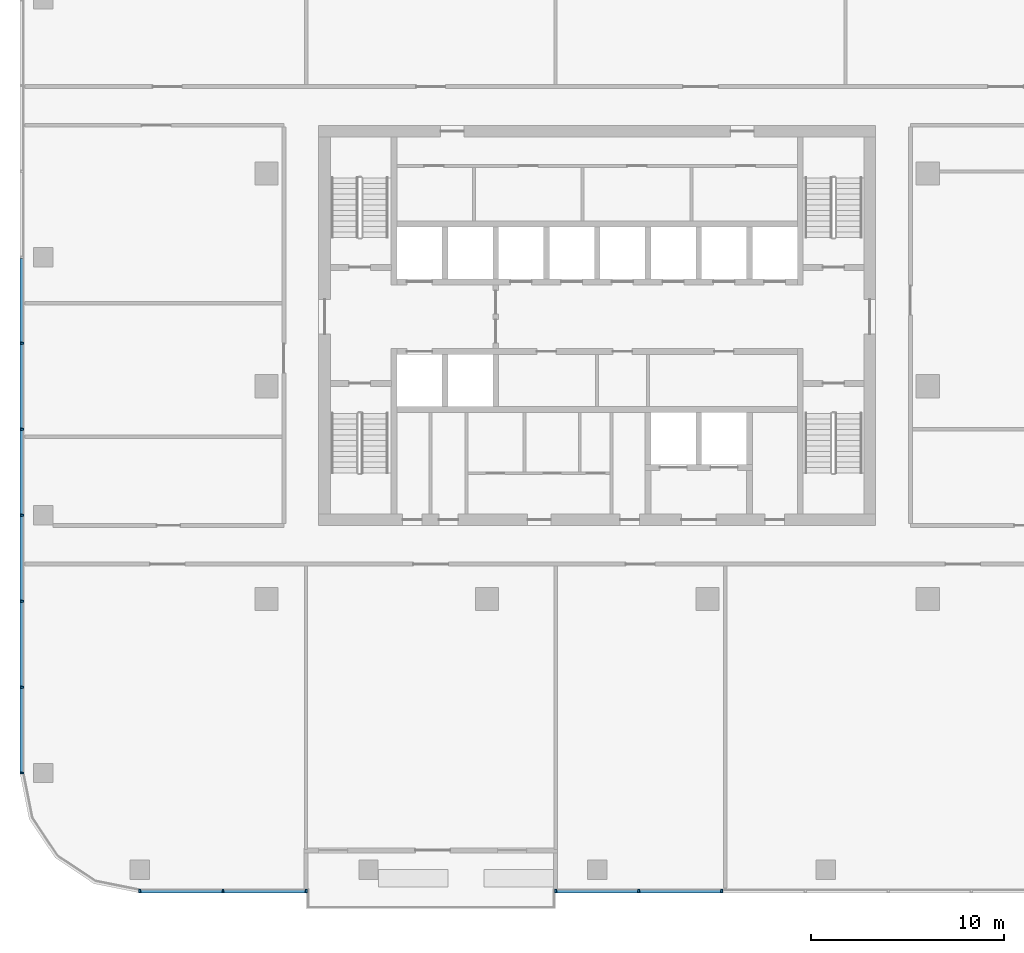
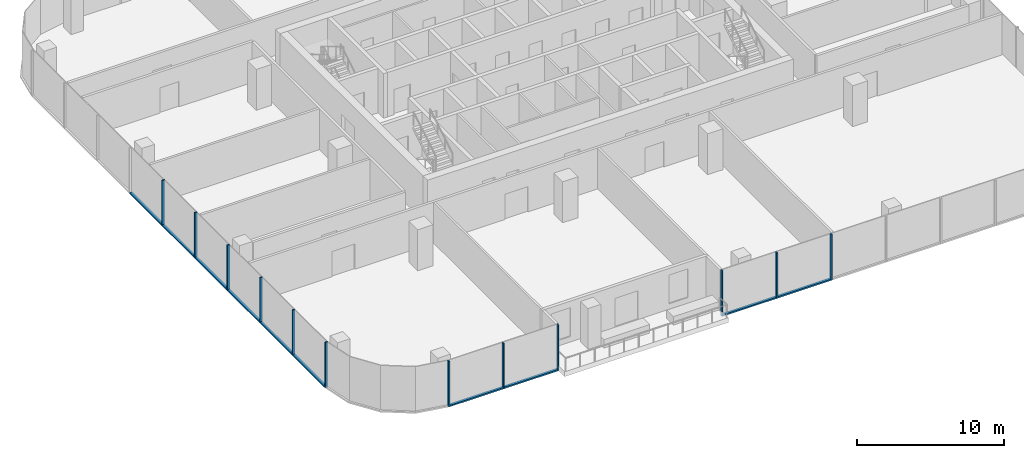
# One storey, part 2 of 13: 22 members, 3 elements without a shape of their own.
"""IFC4 building model written with IfcOpenShell, lengths in metres."""

from ifc_helpers import new_model, si_unit, direction, frame, origin, origin_2d, place, context, subcontext, project, spatial, rectangle, extrude, material, material_profile, profile_set, type_object, element, aggregate, save


model = new_model("IFC4")

# Units and contexts
model_context = context("Model", 3, precision=1e-05, world=origin(), true_north=direction((0.0, 1.0)))
body_context = subcontext(model_context, "Body", "Model", "MODEL_VIEW")
ifc_project = project(units=[si_unit("LENGTHUNIT", "METRE"), si_unit("AREAUNIT", "SQUARE_METRE"), si_unit("VOLUMEUNIT", "CUBIC_METRE"), si_unit("PLANEANGLEUNIT", "RADIAN"), si_unit("MASSUNIT", "GRAM", prefix="KILO")], contexts=[model_context])

# Site, building, storey
site_placement = place(None, origin())
site = spatial("IfcSite", under=ifc_project, at=site_placement, CompositionType="ELEMENT")
building_placement = place(site_placement, origin())
building = spatial("IfcBuilding", under=site, at=building_placement, Name="Mopane Tessera Tower", CompositionType="ELEMENT")
storey_placement = place(building_placement, frame((0.0, 0.0, 311.39990234375)))
storey = spatial("IfcBuildingStorey", under=building, at=storey_placement, Name="L68", CompositionType="ELEMENT", Elevation=311.39990234375)

# Curtain wall, members
ifc_material_1 = material(Name="Aluminium frame", Category="aluminium")
curtain_wall_type = type_object("IfcCurtainWallType", Name="Unitised curtain wall", PredefinedType="NOTDEFINED", material=ifc_material_1)
curtain_wall_1_placement = place(storey_placement, origin())
curtain_wall_1 = element("IfcCurtainWall", 1, at=curtain_wall_1_placement, inside=storey, type_object=curtain_wall_type, Name="e:cw:L68:S:0", PredefinedType="NOTDEFINED")
ifc_material_2 = material(Name="Aluminium frame", Category="aluminium")
ifc_material_profile_1 = material_profile(ifc_material_2, rectangle(XDim=0.10009765625, YDim=0.199951171875, at=origin_2d()))
ifc_profile_set_1 = profile_set([ifc_material_profile_1], Name="Aluminium frame")
member_type_1 = type_object("IfcMemberType", Name="Aluminium mullion 100 x 200", PredefinedType="MULLION", material=ifc_profile_set_1)
member_1_placement = place(storey_placement, frame((-23.64990234375, -26.10009765625, -0.39990234375), z_axis=(0.0, 0.0, 1.0), x_axis=(1.0, 0.0, 0.0)))
member_1 = element("IfcMember", 2, at=member_1_placement, type_object=member_type_1, Name="e:cw:L68:S:0:mu0", PredefinedType="MULLION", context=body_context, shape_type="SweptSolid", body=[
    extrude(rectangle(XDim=0.10009765625, YDim=0.199951171875, at=origin_2d()), origin(), (0.0, 0.0, 1.0), 3.800048828125),
])
member_2_placement = place(storey_placement, frame((-19.35009765625, -26.10009765625, -0.39990234375), z_axis=(0.0, 0.0, 1.0), x_axis=(1.0, 0.0, 0.0)))
member_2 = element("IfcMember", 3, at=member_2_placement, type_object=member_type_1, Name="e:cw:L68:S:0:mu1", PredefinedType="MULLION", context=body_context, shape_type="SweptSolid", body=[
    extrude(rectangle(XDim=0.10009765625, YDim=0.199951171875, at=origin_2d()), origin(), (0.0, 0.0, 1.0), 3.800048828125),
])
member_3_placement = place(storey_placement, frame((-15.050048828125, -26.10009765625, -0.39990234375), z_axis=(0.0, 0.0, 1.0), x_axis=(1.0, 0.0, 0.0)))
member_3 = element("IfcMember", 4, at=member_3_placement, type_object=member_type_1, Name="e:cw:L68:S:0:mu2", PredefinedType="MULLION", context=body_context, shape_type="SweptSolid", body=[
    extrude(rectangle(XDim=0.10009765625, YDim=0.199951171875, at=origin_2d()), origin(), (0.0, 0.0, 1.0), 3.800048828125),
])

curtain_wall_2_placement = place(storey_placement, origin())
curtain_wall_2 = element("IfcCurtainWall", 5, at=curtain_wall_2_placement, inside=storey, type_object=curtain_wall_type, Name="e:cw:L68:S:5", PredefinedType="NOTDEFINED")
member_4_placement = place(storey_placement, frame((-2.14990234375, -26.10009765625, -0.39990234375), z_axis=(0.0, 0.0, 1.0), x_axis=(1.0, 0.0, 0.0)))
member_4 = element("IfcMember", 6, at=member_4_placement, type_object=member_type_1, Name="e:cw:L68:S:5:mu5", PredefinedType="MULLION", context=body_context, shape_type="SweptSolid", body=[
    extrude(rectangle(XDim=0.10009765625, YDim=0.199951171875, at=origin_2d()), origin(), (0.0, 0.0, 1.0), 3.800048828125),
])
member_5_placement = place(storey_placement, frame((2.14990234375, -26.10009765625, -0.39990234375), z_axis=(0.0, 0.0, 1.0), x_axis=(1.0, 0.0, 0.0)))
member_5 = element("IfcMember", 7, at=member_5_placement, type_object=member_type_1, Name="e:cw:L68:S:5:mu6", PredefinedType="MULLION", context=body_context, shape_type="SweptSolid", body=[
    extrude(rectangle(XDim=0.10009765625, YDim=0.199951171875, at=origin_2d()), origin(), (0.0, 0.0, 1.0), 3.800048828125),
])
member_6_placement = place(storey_placement, frame((6.449951171875, -26.10009765625, -0.39990234375), z_axis=(0.0, 0.0, 1.0), x_axis=(1.0, 0.0, 0.0)))
member_6 = element("IfcMember", 8, at=member_6_placement, type_object=member_type_1, Name="e:cw:L68:S:5:mu7", PredefinedType="MULLION", context=body_context, shape_type="SweptSolid", body=[
    extrude(rectangle(XDim=0.10009765625, YDim=0.199951171875, at=origin_2d()), origin(), (0.0, 0.0, 1.0), 3.800048828125),
])

curtain_wall_3_placement = place(storey_placement, origin())
curtain_wall_3 = element("IfcCurtainWall", 9, at=curtain_wall_3_placement, inside=storey, type_object=curtain_wall_type, Name="e:cw:L68:W:0", PredefinedType="NOTDEFINED")
member_7_placement = place(storey_placement, frame((-29.75, 2.22216796875, -0.39990234375), z_axis=(0.0, 0.0, 1.0), x_axis=(0.0, -1.0, 0.0)))
member_7 = element("IfcMember", 10, at=member_7_placement, type_object=member_type_1, Name="e:cw:L68:W:0:mu4", PredefinedType="MULLION", context=body_context, shape_type="SweptSolid", body=[
    extrude(rectangle(XDim=0.10009765625, YDim=0.199951171875, at=origin_2d()), origin(), (0.0, 0.0, 1.0), 3.800048828125),
])
member_8_placement = place(storey_placement, frame((-29.75, -2.22216796875, -0.39990234375), z_axis=(0.0, 0.0, 1.0), x_axis=(0.0, -1.0, 0.0)))
member_8 = element("IfcMember", 11, at=member_8_placement, type_object=member_type_1, Name="e:cw:L68:W:0:mu5", PredefinedType="MULLION", context=body_context, shape_type="SweptSolid", body=[
    extrude(rectangle(XDim=0.10009765625, YDim=0.199951171875, at=origin_2d()), origin(), (0.0, 0.0, 1.0), 3.800048828125),
])
member_9_placement = place(storey_placement, frame((-29.75, -6.666748046875, -0.39990234375), z_axis=(0.0, 0.0, 1.0), x_axis=(0.0, -1.0, 0.0)))
member_9 = element("IfcMember", 12, at=member_9_placement, type_object=member_type_1, Name="e:cw:L68:W:0:mu6", PredefinedType="MULLION", context=body_context, shape_type="SweptSolid", body=[
    extrude(rectangle(XDim=0.10009765625, YDim=0.199951171875, at=origin_2d()), origin(), (0.0, 0.0, 1.0), 3.800048828125),
])
member_10_placement = place(storey_placement, frame((-29.75, -11.111083984375, -0.39990234375), z_axis=(0.0, 0.0, 1.0), x_axis=(0.0, -1.0, 0.0)))
member_10 = element("IfcMember", 13, at=member_10_placement, type_object=member_type_1, Name="e:cw:L68:W:0:mu7", PredefinedType="MULLION", context=body_context, shape_type="SweptSolid", body=[
    extrude(rectangle(XDim=0.10009765625, YDim=0.199951171875, at=origin_2d()), origin(), (0.0, 0.0, 1.0), 3.800048828125),
])
member_11_placement = place(storey_placement, frame((-29.75, -15.5556640625, -0.39990234375), z_axis=(0.0, 0.0, 1.0), x_axis=(0.0, -1.0, 0.0)))
member_11 = element("IfcMember", 14, at=member_11_placement, type_object=member_type_1, Name="e:cw:L68:W:0:mu8", PredefinedType="MULLION", context=body_context, shape_type="SweptSolid", body=[
    extrude(rectangle(XDim=0.10009765625, YDim=0.199951171875, at=origin_2d()), origin(), (0.0, 0.0, 1.0), 3.800048828125),
])
member_12_placement = place(storey_placement, frame((-29.75, -20.0, -0.39990234375), z_axis=(0.0, 0.0, 1.0), x_axis=(0.0, -1.0, 0.0)))
member_12 = element("IfcMember", 15, at=member_12_placement, type_object=member_type_1, Name="e:cw:L68:W:0:mu9", PredefinedType="MULLION", context=body_context, shape_type="SweptSolid", body=[
    extrude(rectangle(XDim=0.10009765625, YDim=0.199951171875, at=origin_2d()), origin(), (0.0, 0.0, 1.0), 3.800048828125),
])

# Member
ifc_material_3 = material(Name="Aluminium frame", Category="aluminium")
ifc_material_profile_2 = material_profile(ifc_material_3, rectangle(XDim=0.199951171875, YDim=0.1201171875, at=origin_2d()))
ifc_profile_set_2 = profile_set([ifc_material_profile_2], Name="Aluminium frame")
member_type_2 = type_object("IfcMemberType", Name="Aluminium transom 200 x 120", PredefinedType="USERDEFINED", material=ifc_profile_set_2)
member_13_placement = place(storey_placement, frame((-23.60009765625, -26.10009765625, -0.33984375), z_axis=(1.0, 0.0, 0.0), x_axis=(0.0, 1.0, 0.0)))
member_13 = element("IfcMember", 16, at=member_13_placement, type_object=member_type_2, Name="e:cw:L68:S:0:tr0", ObjectType="TRANSOM", PredefinedType="USERDEFINED", context=body_context, shape_type="SweptSolid", body=[
    extrude(rectangle(XDim=0.199951171875, YDim=0.1201171875, at=origin_2d()), origin(), (0.0, 0.0, 1.0), 4.2001953125),
])

member_14_placement = place(storey_placement, frame((-19.300048828125, -26.10009765625, -0.33984375), z_axis=(1.0, 0.0, 0.0), x_axis=(0.0, 1.0, 0.0)))
member_14 = element("IfcMember", 17, at=member_14_placement, type_object=member_type_2, Name="e:cw:L68:S:0:tr1", ObjectType="TRANSOM", PredefinedType="USERDEFINED", context=body_context, shape_type="SweptSolid", body=[
    extrude(rectangle(XDim=0.199951171875, YDim=0.1201171875, at=origin_2d()), origin(), (0.0, 0.0, 1.0), 4.199951171875),
])

aggregate(curtain_wall_1, [member_1, member_2, member_3, member_13, member_14])

member_15_placement = place(storey_placement, frame((-2.10009765625, -26.10009765625, -0.33984375), z_axis=(1.0, 0.0, 0.0), x_axis=(0.0, 1.0, 0.0)))
member_15 = element("IfcMember", 18, at=member_15_placement, type_object=member_type_2, Name="e:cw:L68:S:5:tr5", ObjectType="TRANSOM", PredefinedType="USERDEFINED", context=body_context, shape_type="SweptSolid", body=[
    extrude(rectangle(XDim=0.199951171875, YDim=0.1201171875, at=origin_2d()), origin(), (0.0, 0.0, 1.0), 4.2001953125),
])

member_16_placement = place(storey_placement, frame((2.199951171875, -26.10009765625, -0.33984375), z_axis=(1.0, 0.0, 0.0), x_axis=(0.0, 1.0, 0.0)))
member_16 = element("IfcMember", 19, at=member_16_placement, type_object=member_type_2, Name="e:cw:L68:S:5:tr6", ObjectType="TRANSOM", PredefinedType="USERDEFINED", context=body_context, shape_type="SweptSolid", body=[
    extrude(rectangle(XDim=0.199951171875, YDim=0.1201171875, at=origin_2d()), origin(), (0.0, 0.0, 1.0), 4.199951171875),
])

aggregate(curtain_wall_2, [member_4, member_5, member_6, member_15, member_16])

member_17_placement = place(storey_placement, frame((-29.75, 6.61669921875, -0.33984375), z_axis=(0.0, -1.0, 0.0), x_axis=(1.0, 0.0, 0.0)))
member_17 = element("IfcMember", 20, at=member_17_placement, type_object=member_type_2, Name="e:cw:L68:W:0:tr3", ObjectType="TRANSOM", PredefinedType="USERDEFINED", context=body_context, shape_type="SweptSolid", body=[
    extrude(rectangle(XDim=0.199951171875, YDim=0.1201171875, at=origin_2d()), origin(), (0.0, 0.0, 1.0), 4.344482421875),
])

member_18_placement = place(storey_placement, frame((-29.75, 2.172119140625, -0.33984375), z_axis=(0.0, -1.0, 0.0), x_axis=(1.0, 0.0, 0.0)))
member_18 = element("IfcMember", 21, at=member_18_placement, type_object=member_type_2, Name="e:cw:L68:W:0:tr4", ObjectType="TRANSOM", PredefinedType="USERDEFINED", context=body_context, shape_type="SweptSolid", body=[
    extrude(rectangle(XDim=0.199951171875, YDim=0.1201171875, at=origin_2d()), origin(), (0.0, 0.0, 1.0), 4.34423828125),
])

member_19_placement = place(storey_placement, frame((-29.75, -2.272216796875, -0.33984375), z_axis=(0.0, -1.0, 0.0), x_axis=(1.0, 0.0, 0.0)))
member_19 = element("IfcMember", 22, at=member_19_placement, type_object=member_type_2, Name="e:cw:L68:W:0:tr5", ObjectType="TRANSOM", PredefinedType="USERDEFINED", context=body_context, shape_type="SweptSolid", body=[
    extrude(rectangle(XDim=0.199951171875, YDim=0.1201171875, at=origin_2d()), origin(), (0.0, 0.0, 1.0), 4.344482421875),
])

member_20_placement = place(storey_placement, frame((-29.75, -6.716552734375, -0.33984375), z_axis=(0.0, -1.0, 0.0), x_axis=(1.0, 0.0, 0.0)))
member_20 = element("IfcMember", 23, at=member_20_placement, type_object=member_type_2, Name="e:cw:L68:W:0:tr6", ObjectType="TRANSOM", PredefinedType="USERDEFINED", context=body_context, shape_type="SweptSolid", body=[
    extrude(rectangle(XDim=0.199951171875, YDim=0.1201171875, at=origin_2d()), origin(), (0.0, 0.0, 1.0), 4.344482421875),
])

member_21_placement = place(storey_placement, frame((-29.75, -11.1611328125, -0.33984375), z_axis=(0.0, -1.0, 0.0), x_axis=(1.0, 0.0, 0.0)))
member_21 = element("IfcMember", 24, at=member_21_placement, type_object=member_type_2, Name="e:cw:L68:W:0:tr7", ObjectType="TRANSOM", PredefinedType="USERDEFINED", context=body_context, shape_type="SweptSolid", body=[
    extrude(rectangle(XDim=0.199951171875, YDim=0.1201171875, at=origin_2d()), origin(), (0.0, 0.0, 1.0), 4.344482421875),
])

member_22_placement = place(storey_placement, frame((-29.75, -15.60546875, -0.33984375), z_axis=(0.0, -1.0, 0.0), x_axis=(1.0, 0.0, 0.0)))
member_22 = element("IfcMember", 25, at=member_22_placement, type_object=member_type_2, Name="e:cw:L68:W:0:tr8", ObjectType="TRANSOM", PredefinedType="USERDEFINED", context=body_context, shape_type="SweptSolid", body=[
    extrude(rectangle(XDim=0.199951171875, YDim=0.1201171875, at=origin_2d()), origin(), (0.0, 0.0, 1.0), 4.344482421875),
])

aggregate(curtain_wall_3, [member_7, member_8, member_9, member_10, member_11, member_12, member_17, member_18, member_19, member_20, member_21, member_22])

save(model, "model.ifc")
